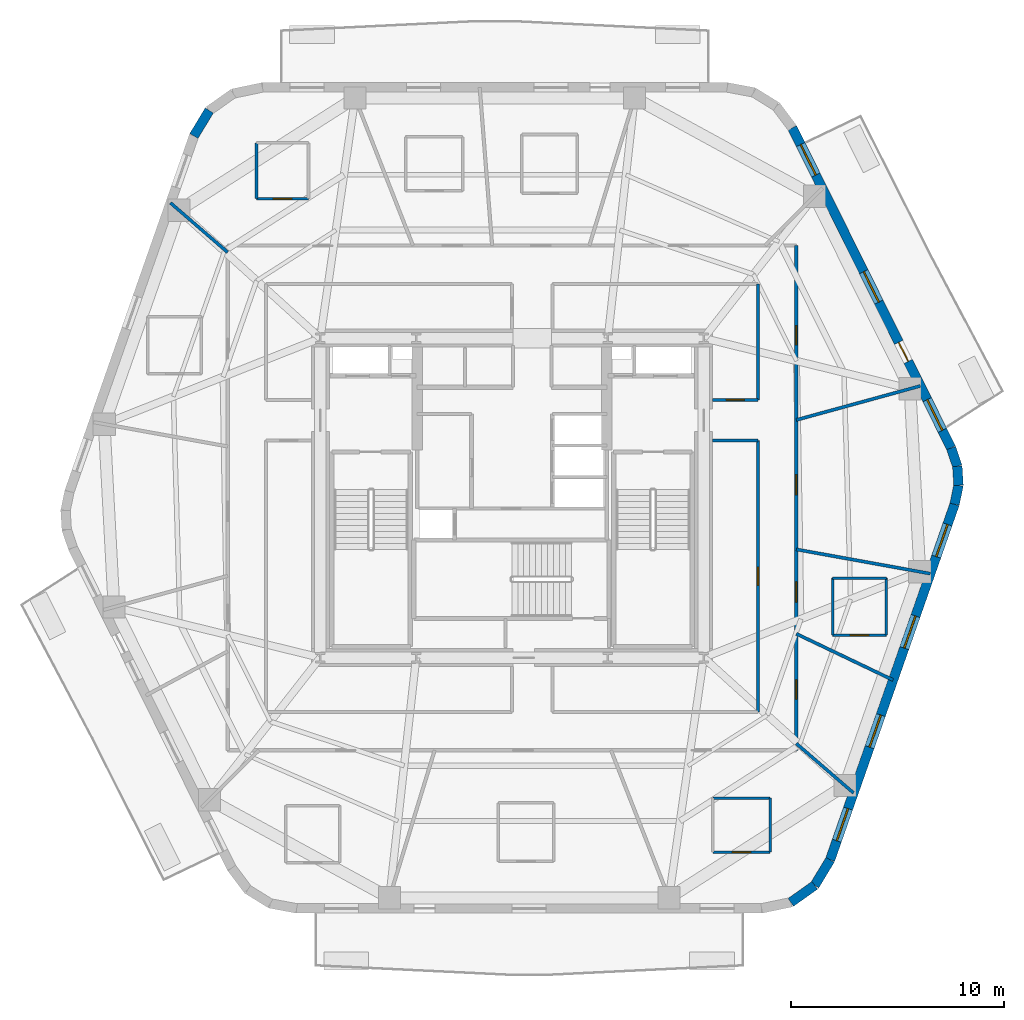
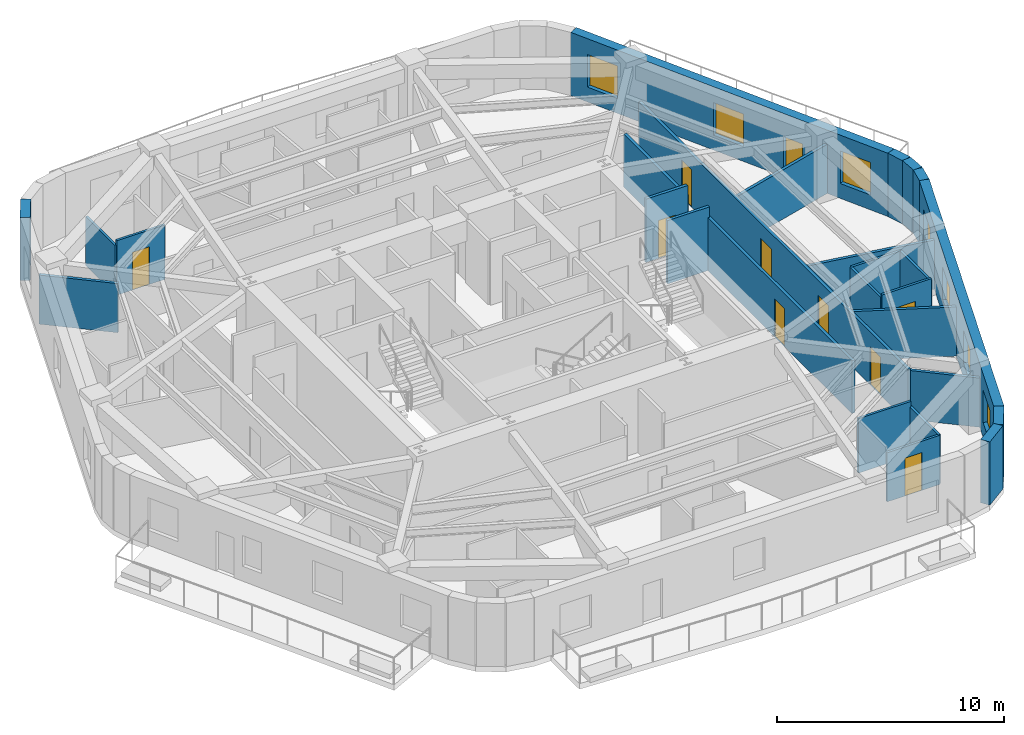
# One storey, part 5 of 10: 27 walls, 10 doors, 7 windows, 17 openings.
"""IFC4 building model written with IfcOpenShell, lengths in metres."""

from ifc_helpers import new_model, si_unit, direction, frame, frame_2d, origin, place, context, subcontext, project, spatial, rectangle, extrude, material, layer, layer_set, type_object, element, fill, save


model = new_model("IFC4")

# Units and contexts
model_context = context("Model", 3, precision=1e-05, world=origin(), true_north=direction((0.0, 1.0)))
body_context = subcontext(model_context, "Body", "Model", "MODEL_VIEW")
ifc_project = project(units=[si_unit("LENGTHUNIT", "METRE"), si_unit("AREAUNIT", "SQUARE_METRE"), si_unit("VOLUMEUNIT", "CUBIC_METRE"), si_unit("PLANEANGLEUNIT", "RADIAN"), si_unit("MASSUNIT", "GRAM", prefix="KILO")], contexts=[model_context])

# Site, building, storey
site_placement = place(None, origin())
site = spatial("IfcSite", under=ifc_project, at=site_placement, CompositionType="ELEMENT")
building_placement = place(site_placement, origin())
building = spatial("IfcBuilding", under=site, at=building_placement, Name="Kilnhurst Terrace Hotel", CompositionType="ELEMENT")
storey_placement = place(building_placement, frame((0.0, 0.0, 151.699951171875)))
storey = spatial("IfcBuildingStorey", under=building, at=storey_placement, Name="L37", CompositionType="ELEMENT", Elevation=151.699951171875)

# Walls
ifc_material_1 = material(Name="Precast concrete C40/50", Category="concrete")
ifc_layer_1 = layer(ifc_material_1, 0.449951171875, Name="Precast concrete C40/50")
ifc_layer_set_1 = layer_set([ifc_layer_1], Name="Precast concrete C40/50")
wall_type_1 = type_object("IfcWallType", Name="WL-BRK-450", PredefinedType="SOLIDWALL", material=ifc_layer_set_1)
wall_1_placement = place(storey_placement, frame((13.091064453125, -18.989013671875, 0.0), z_axis=(0.0, 0.0, 1.0), x_axis=(0.815574637848, 0.578651890258, 0.0)))
element("IfcWall", 1, at=wall_1_placement, inside=storey, type_object=wall_type_1, Name="L37 Rounded Corner Brick Wall C2.2", PredefinedType="SOLIDWALL", context=body_context, shape_type="SweptSolid", body=[
    extrude(rectangle(XDim=1.376708984375, YDim=0.449951171875, at=frame_2d((0.6884765625, 0.0))), origin(), (0.0, 0.0, 1.0), 3.400146484375),
])
wall_2_placement = place(storey_placement, frame((14.2138671875, -18.1923828125, 0.0), z_axis=(0.0, 0.0, 1.0), x_axis=(0.516340945502, 0.856383108193, 0.0)))
element("IfcWall", 2, at=wall_2_placement, inside=storey, type_object=wall_type_1, Name="L37 Rounded Corner Brick Wall C2.3", PredefinedType="SOLIDWALL", context=body_context, shape_type="SweptSolid", body=[
    extrude(rectangle(XDim=1.400146484375, YDim=0.449951171875, at=frame_2d((0.7001953125, 0.0))), origin(), (0.0, 0.0, 1.0), 3.400146484375),
])
wall_3_placement = place(storey_placement, frame((20.78173828125, -0.298095703125, 0.0), z_axis=(0.0, 0.0, 1.0), x_axis=(0.202570068411, 0.979267771033, 0.0)))
element("IfcWall", 3, at=wall_3_placement, inside=storey, type_object=wall_type_1, Name="L37 Rounded Corner Brick Wall C3.1", PredefinedType="SOLIDWALL", context=body_context, shape_type="SweptSolid", body=[
    extrude(rectangle(XDim=0.90869140625, YDim=0.449951171875, at=frame_2d((0.454345703125, 0.0))), origin(), (0.0, 0.0, 1.0), 3.400146484375),
])
wall_4_placement = place(storey_placement, frame((20.9658203125, 0.591796875, 0.0), z_axis=(0.0, 0.0, 1.0), x_axis=(-0.061748898935, 0.998091715966, 0.0)))
element("IfcWall", 4, at=wall_4_placement, inside=storey, type_object=wall_type_1, Name="L37 Rounded Corner Brick Wall C3.2", PredefinedType="SOLIDWALL", context=body_context, shape_type="SweptSolid", body=[
    extrude(rectangle(XDim=0.8935546875, YDim=0.449951171875, at=frame_2d((0.44677734375, 0.0))), origin(), (0.0, 0.0, 1.0), 3.400146484375),
])
wall_5_placement = place(storey_placement, frame((20.91064453125, 1.483642578125, 0.0), z_axis=(0.0, 0.0, 1.0), x_axis=(-0.321623334353, 0.946867694453, 0.0)))
element("IfcWall", 5, at=wall_5_placement, inside=storey, type_object=wall_type_1, Name="L37 Rounded Corner Brick Wall C3.3", PredefinedType="SOLIDWALL", context=body_context, shape_type="SweptSolid", body=[
    extrude(rectangle(XDim=0.90869140625, YDim=0.449951171875, at=frame_2d((0.454345703125, 0.0))), origin(), (0.0, 0.0, 1.0), 3.400146484375),
])
wall_6_placement = place(storey_placement, frame((-14.2138671875, 18.1923828125, 0.0), z_axis=(0.0, 0.0, 1.0), x_axis=(-0.516340945502, -0.856383108193, 0.0)))
element("IfcWall", 6, at=wall_6_placement, inside=storey, type_object=wall_type_1, Name="L37 Rounded Corner Brick Wall C5.3", PredefinedType="SOLIDWALL", context=body_context, shape_type="SweptSolid", body=[
    extrude(rectangle(XDim=1.400146484375, YDim=0.449951171875, at=frame_2d((0.7001953125, 0.0))), origin(), (0.0, 0.0, 1.0), 3.400146484375),
])

# Wall, openings, windows
wall_7_placement = place(storey_placement, frame((14.936767578125, -16.993408203125, 0.0), z_axis=(0.0, 0.0, 1.0), x_axis=(0.330431575061, 0.943829949834, 0.0)))
wall_7 = element("IfcWall", 7, at=wall_7_placement, inside=storey, type_object=wall_type_1, Name="L37 Exterior Brick Facade Wall F2", PredefinedType="SOLIDWALL", context=body_context, shape_type="SweptSolid", body=[
    extrude(rectangle(XDim=17.68896484375, YDim=0.449951171875, at=frame_2d((8.844482421875, 0.0))), origin(), (0.0, 0.0, 1.0), 3.400146484375),
])
opening_1_placement = place(wall_7_placement, frame((0.949951171875, 0.0, 0.800048828125)))
opening_1 = element("IfcOpeningElement", 8, at=opening_1_placement, cuts=wall_7, Name="Opening W-05", PredefinedType="OPENING", context=body_context, shape_type="SweptSolid", body=[
    extrude(rectangle(XDim=1.60009765625, YDim=1.75, at=frame_2d((0.800048828125, 0.875))), frame((0.0, 0.23486328125, 0.0), z_axis=(0.0, -1.0, 0.0), x_axis=(1.0, 0.0, 0.0)), (0.0, 0.0, 1.0), 0.469970703125),
])
opening_2_placement = place(wall_7_placement, frame((5.60498046875, 0.0, 0.800048828125)))
opening_2 = element("IfcOpeningElement", 9, at=opening_2_placement, cuts=wall_7, Name="Opening W-05", PredefinedType="OPENING", context=body_context, shape_type="SweptSolid", body=[
    extrude(rectangle(XDim=1.60009765625, YDim=1.75, at=frame_2d((0.800048828125, 0.875))), frame((0.0, 0.23486328125, 0.0), z_axis=(0.0, -1.0, 0.0), x_axis=(1.0, 0.0, 0.0)), (0.0, 0.0, 1.0), 0.469970703125),
])
opening_3_placement = place(wall_7_placement, frame((10.531005859375, 0.0, 0.800048828125)))
opening_3 = element("IfcOpeningElement", 10, at=opening_3_placement, cuts=wall_7, Name="Opening W-05", PredefinedType="OPENING", context=body_context, shape_type="SweptSolid", body=[
    extrude(rectangle(XDim=1.60009765625, YDim=1.75, at=frame_2d((0.800048828125, 0.875))), frame((0.0, 0.23486328125, 0.0), z_axis=(0.0, -1.0, 0.0), x_axis=(1.0, 0.0, 0.0)), (0.0, 0.0, 1.0), 0.469970703125),
])
opening_4_placement = place(wall_7_placement, frame((15.083984375, 0.0, 0.800048828125)))
opening_4 = element("IfcOpeningElement", 11, at=opening_4_placement, cuts=wall_7, Name="Opening W-05", PredefinedType="OPENING", context=body_context, shape_type="SweptSolid", body=[
    extrude(rectangle(XDim=1.60009765625, YDim=1.75, at=frame_2d((0.800048828125, 0.875))), frame((0.0, 0.23486328125, 0.0), z_axis=(0.0, -1.0, 0.0), x_axis=(1.0, 0.0, 0.0)), (0.0, 0.0, 1.0), 0.469970703125),
])
ifc_material_2 = material(Name="Thermally Broken Bronze Aluminium Alloy 6063-T6 and Low-E Glass", Category="aluminium")
window_type = type_object("IfcWindowType", Name="WIN-1600X1750", PartitioningType="SINGLE_PANEL", PredefinedType="WINDOW", material=ifc_material_2)
window_1_placement = place(opening_1_placement, origin())
window_1 = element("IfcWindow", 12, at=window_1_placement, inside=storey, type_object=window_type, Name="L37 Deep-Set Masonry Window F2.1", OverallHeight=1.75, OverallWidth=1.60009765625, PartitioningType="SINGLE_PANEL", PredefinedType="WINDOW", context=body_context, shape_type="SweptSolid", body=[
    extrude(rectangle(XDim=1.60009765625, YDim=1.75, at=frame_2d((0.800048828125, 0.875))), frame((0.0, 0.030029296875, 0.0), z_axis=(0.0, -1.0, 0.0), x_axis=(1.0, 0.0, 0.0)), (0.0, 0.0, 1.0), 0.06005859375),
])
fill(opening_1, window_1)
window_2_placement = place(opening_2_placement, origin())
window_2 = element("IfcWindow", 13, at=window_2_placement, inside=storey, type_object=window_type, Name="L37 Deep-Set Masonry Window F2.2", OverallHeight=1.75, OverallWidth=1.60009765625, PartitioningType="SINGLE_PANEL", PredefinedType="WINDOW", context=body_context, shape_type="SweptSolid", body=[
    extrude(rectangle(XDim=1.60009765625, YDim=1.75, at=frame_2d((0.800048828125, 0.875))), frame((0.0, 0.030029296875, 0.0), z_axis=(0.0, -1.0, 0.0), x_axis=(1.0, 0.0, 0.0)), (0.0, 0.0, 1.0), 0.06005859375),
])
fill(opening_2, window_2)
window_3_placement = place(opening_3_placement, origin())
window_3 = element("IfcWindow", 14, at=window_3_placement, inside=storey, type_object=window_type, Name="L37 Deep-Set Masonry Window F2.3", OverallHeight=1.75, OverallWidth=1.60009765625, PartitioningType="SINGLE_PANEL", PredefinedType="WINDOW", context=body_context, shape_type="SweptSolid", body=[
    extrude(rectangle(XDim=1.60009765625, YDim=1.75, at=frame_2d((0.800048828125, 0.875))), frame((0.0, 0.030029296875, 0.0), z_axis=(0.0, -1.0, 0.0), x_axis=(1.0, 0.0, 0.0)), (0.0, 0.0, 1.0), 0.06005859375),
])
fill(opening_3, window_3)
window_4_placement = place(opening_4_placement, origin())
window_4 = element("IfcWindow", 15, at=window_4_placement, inside=storey, type_object=window_type, Name="L37 Deep-Set Masonry Window F2.4", OverallHeight=1.75, OverallWidth=1.60009765625, PartitioningType="SINGLE_PANEL", PredefinedType="WINDOW", context=body_context, shape_type="SweptSolid", body=[
    extrude(rectangle(XDim=1.60009765625, YDim=1.75, at=frame_2d((0.800048828125, 0.875))), frame((0.0, 0.030029296875, 0.0), z_axis=(0.0, -1.0, 0.0), x_axis=(1.0, 0.0, 0.0)), (0.0, 0.0, 1.0), 0.06005859375),
])
fill(opening_4, window_4)

# Wall, openings, door, windows
wall_8_placement = place(storey_placement, frame((20.618408203125, 2.343994140625, 0.0), z_axis=(0.0, 0.0, 1.0), x_axis=(-0.444243691097, 0.895905990002, 0.0)))
wall_8 = element("IfcWall", 16, at=wall_8_placement, inside=storey, type_object=wall_type_1, Name="L37 Exterior Brick Facade Wall F3", PredefinedType="SOLIDWALL", context=body_context, shape_type="SweptSolid", body=[
    extrude(rectangle(XDim=16.78369140625, YDim=0.449951171875, at=frame_2d((8.391845703125, 0.0))), origin(), (0.0, 0.0, 1.0), 3.400146484375),
])
opening_5_placement = place(wall_8_placement, frame((4.534912109375, 0.0, 0.0)))
opening_5 = element("IfcOpeningElement", 17, at=opening_5_placement, cuts=wall_8, Name="Opening BD-1000", PredefinedType="OPENING", context=body_context, shape_type="SweptSolid", body=[
    extrude(rectangle(XDim=1.0, YDim=2.14990234375, at=frame_2d((0.5, 1.074951171875))), frame((0.0, 0.23486328125, 0.0), z_axis=(0.0, -1.0, 0.0), x_axis=(1.0, 0.0, 0.0)), (0.0, 0.0, 1.0), 0.469970703125),
])
opening_6_placement = place(wall_8_placement, frame((7.64208984375, 0.0, 0.800048828125)))
opening_6 = element("IfcOpeningElement", 18, at=opening_6_placement, cuts=wall_8, Name="Opening W-05", PredefinedType="OPENING", context=body_context, shape_type="SweptSolid", body=[
    extrude(rectangle(XDim=1.60009765625, YDim=1.75, at=frame_2d((0.800048828125, 0.875))), frame((0.0, 0.23486328125, 0.0), z_axis=(0.0, -1.0, 0.0), x_axis=(1.0, 0.0, 0.0)), (0.0, 0.0, 1.0), 0.469970703125),
])
opening_7_placement = place(wall_8_placement, frame((14.302978515625, 0.0, 0.800048828125)))
opening_7 = element("IfcOpeningElement", 19, at=opening_7_placement, cuts=wall_8, Name="Opening W-05", PredefinedType="OPENING", context=body_context, shape_type="SweptSolid", body=[
    extrude(rectangle(XDim=1.60009765625, YDim=1.75, at=frame_2d((0.800048828125, 0.875))), frame((0.0, 0.23486328125, 0.0), z_axis=(0.0, -1.0, 0.0), x_axis=(1.0, 0.0, 0.0)), (0.0, 0.0, 1.0), 0.469970703125),
])
opening_8_placement = place(wall_8_placement, frame((0.930908203125, 0.0, 0.800048828125)))
opening_8 = element("IfcOpeningElement", 20, at=opening_8_placement, cuts=wall_8, Name="Opening W-05", PredefinedType="OPENING", context=body_context, shape_type="SweptSolid", body=[
    extrude(rectangle(XDim=1.60009765625, YDim=1.75, at=frame_2d((0.800048828125, 0.875))), frame((0.0, 0.23486328125, 0.0), z_axis=(0.0, -1.0, 0.0), x_axis=(1.0, 0.0, 0.0)), (0.0, 0.0, 1.0), 0.469970703125),
])
ifc_material_3 = material(Name="Thermally Broken Bronze Aluminium Alloy 6063-T6 and Laminated Glass", Category="aluminium")
door_type_1 = type_object("IfcDoorType", Name="DR-EXT-BAL-1000", OperationType="NOTDEFINED", PredefinedType="DOOR", material=ifc_material_3)
door_1_placement = place(opening_5_placement, origin())
door_1 = element("IfcDoor", 21, at=door_1_placement, inside=storey, type_object=door_type_1, Name="L37 Planted Balcony Door BAL-L1A", OperationType="SINGLE_SWING_LEFT", OverallHeight=2.14990234375, OverallWidth=1.0, PredefinedType="DOOR", context=body_context, shape_type="SweptSolid", body=[
    extrude(rectangle(XDim=1.0, YDim=2.14990234375, at=frame_2d((0.5, 1.074951171875))), frame((0.0, 0.02490234375, 0.0), z_axis=(0.0, -1.0, 0.0), x_axis=(1.0, 0.0, 0.0)), (0.0, 0.0, 1.0), 0.050048828125),
])
fill(opening_5, door_1)
window_5_placement = place(opening_6_placement, origin())
window_5 = element("IfcWindow", 22, at=window_5_placement, inside=storey, type_object=window_type, Name="L37 Deep-Set Masonry Window F3.1", OverallHeight=1.75, OverallWidth=1.60009765625, PartitioningType="SINGLE_PANEL", PredefinedType="WINDOW", context=body_context, shape_type="SweptSolid", body=[
    extrude(rectangle(XDim=1.60009765625, YDim=1.75, at=frame_2d((0.800048828125, 0.875))), frame((0.0, 0.030029296875, 0.0), z_axis=(0.0, -1.0, 0.0), x_axis=(1.0, 0.0, 0.0)), (0.0, 0.0, 1.0), 0.06005859375),
])
fill(opening_6, window_5)
window_6_placement = place(opening_7_placement, origin())
window_6 = element("IfcWindow", 23, at=window_6_placement, inside=storey, type_object=window_type, Name="L37 Deep-Set Masonry Window F3.2", OverallHeight=1.75, OverallWidth=1.60009765625, PartitioningType="SINGLE_PANEL", PredefinedType="WINDOW", context=body_context, shape_type="SweptSolid", body=[
    extrude(rectangle(XDim=1.60009765625, YDim=1.75, at=frame_2d((0.800048828125, 0.875))), frame((0.0, 0.030029296875, 0.0), z_axis=(0.0, -1.0, 0.0), x_axis=(1.0, 0.0, 0.0)), (0.0, 0.0, 1.0), 0.06005859375),
])
fill(opening_7, window_6)
window_7_placement = place(opening_8_placement, origin())
window_7 = element("IfcWindow", 24, at=window_7_placement, inside=storey, type_object=window_type, Name="L37 Deep-Set Masonry Window F3.3", OverallHeight=1.75, OverallWidth=1.60009765625, PartitioningType="SINGLE_PANEL", PredefinedType="WINDOW", context=body_context, shape_type="SweptSolid", body=[
    extrude(rectangle(XDim=1.60009765625, YDim=1.75, at=frame_2d((0.800048828125, 0.875))), frame((0.0, 0.030029296875, 0.0), z_axis=(0.0, -1.0, 0.0), x_axis=(1.0, 0.0, 0.0)), (0.0, 0.0, 1.0), 0.06005859375),
])
fill(opening_8, window_7)

# Wall, openings, doors
ifc_material_4 = material(Name="Acoustic Double-Gypsum Corridor Partition Assembly")
ifc_layer_2 = layer(ifc_material_4, 0.14990234375, Name="Acoustic Double-Gypsum Corridor Partition Assembly")
ifc_layer_set_2 = layer_set([ifc_layer_2], Name="Acoustic Double-Gypsum Corridor Partition Assembly")
wall_type_2 = type_object("IfcWallType", Name="WL-COR-150", PredefinedType="PARTITIONING", material=ifc_layer_set_2)
wall_9_placement = place(storey_placement, frame((13.35009765625, 11.85009765625, 0.0), z_axis=(0.0, 0.0, 1.0), x_axis=(0.0, -1.0, 0.0)))
wall_9 = element("IfcWall", 25, at=wall_9_placement, inside=storey, type_object=wall_type_2, Name="L37 Interior Wall WL-L37-COR-04", PredefinedType="PARTITIONING", context=body_context, shape_type="SweptSolid", body=[
    extrude(rectangle(XDim=23.7001953125, YDim=0.14990234375, at=frame_2d((11.85009765625, 0.0))), origin(), (0.0, 0.0, 1.0), 2.840087890625),
])
opening_9_placement = place(wall_9_placement, frame((3.764892578125, 0.0, 0.0)))
opening_9 = element("IfcOpeningElement", 26, at=opening_9_placement, cuts=wall_9, Name="Opening D-60C", PredefinedType="OPENING", context=body_context, shape_type="SweptSolid", body=[
    extrude(rectangle(XDim=0.89990234375, YDim=2.030029296875, at=frame_2d((0.449951171875, 1.01513671875))), frame((0.0, 0.0849609375, 0.0), z_axis=(0.0, -1.0, 0.0), x_axis=(1.0, 0.0, 0.0)), (0.0, 0.0, 1.0), 0.169921875),
])
opening_10_placement = place(wall_9_placement, frame((20.39501953125, 0.0, 0.0)))
opening_10 = element("IfcOpeningElement", 27, at=opening_10_placement, cuts=wall_9, Name="Opening D-60C", PredefinedType="OPENING", context=body_context, shape_type="SweptSolid", body=[
    extrude(rectangle(XDim=0.89990234375, YDim=2.030029296875, at=frame_2d((0.449951171875, 1.01513671875))), frame((0.0, 0.0849609375, 0.0), z_axis=(0.0, -1.0, 0.0), x_axis=(1.0, 0.0, 0.0)), (0.0, 0.0, 1.0), 0.169921875),
])
opening_11_placement = place(wall_9_placement, frame((15.787109375, 0.0, 0.0)))
opening_11 = element("IfcOpeningElement", 28, at=opening_11_placement, cuts=wall_9, Name="Opening D-60B", PredefinedType="OPENING", context=body_context, shape_type="SweptSolid", body=[
    extrude(rectangle(XDim=0.949951171875, YDim=2.030029296875, at=frame_2d((0.47509765625, 1.01513671875))), frame((0.0, 0.0849609375, 0.0), z_axis=(0.0, -1.0, 0.0), x_axis=(1.0, 0.0, 0.0)), (0.0, 0.0, 1.0), 0.169921875),
])
opening_12_placement = place(wall_9_placement, frame((10.7509765625, 0.0, 0.0)))
opening_12 = element("IfcOpeningElement", 29, at=opening_12_placement, cuts=wall_9, Name="Opening D-60B", PredefinedType="OPENING", context=body_context, shape_type="SweptSolid", body=[
    extrude(rectangle(XDim=0.949951171875, YDim=2.030029296875, at=frame_2d((0.47509765625, 1.01513671875))), frame((0.0, 0.0849609375, 0.0), z_axis=(0.0, -1.0, 0.0), x_axis=(1.0, 0.0, 0.0)), (0.0, 0.0, 1.0), 0.169921875),
])
ifc_material_5 = material(Name="Painted Solid-Core Service Fire Door")
door_type_2 = type_object("IfcDoorType", Name="DR-FD60-900", OperationType="NOTDEFINED", PredefinedType="DOOR", material=ifc_material_5)
door_2_placement = place(opening_9_placement, origin())
door_2 = element("IfcDoor", 30, at=door_2_placement, inside=storey, type_object=door_type_2, Name="L37 Private Study Salon Door 1", OperationType="SINGLE_SWING_LEFT", OverallHeight=2.030029296875, OverallWidth=0.89990234375, PredefinedType="DOOR", context=body_context, shape_type="SweptSolid", body=[
    extrude(rectangle(XDim=0.89990234375, YDim=2.030029296875, at=frame_2d((0.449951171875, 1.01513671875))), frame((0.0, 0.02490234375, 0.0), z_axis=(0.0, -1.0, 0.0), x_axis=(1.0, 0.0, 0.0)), (0.0, 0.0, 1.0), 0.050048828125),
])
fill(opening_9, door_2)
door_3_placement = place(opening_10_placement, origin())
door_3 = element("IfcDoor", 31, at=door_3_placement, inside=storey, type_object=door_type_2, Name="L37 Private Meeting Salon Door 13", OperationType="SINGLE_SWING_LEFT", OverallHeight=2.030029296875, OverallWidth=0.89990234375, PredefinedType="DOOR", context=body_context, shape_type="SweptSolid", body=[
    extrude(rectangle(XDim=0.89990234375, YDim=2.030029296875, at=frame_2d((0.449951171875, 1.01513671875))), frame((0.0, 0.02490234375, 0.0), z_axis=(0.0, -1.0, 0.0), x_axis=(1.0, 0.0, 0.0)), (0.0, 0.0, 1.0), 0.050048828125),
])
fill(opening_10, door_3)
ifc_material_6 = material(Name="Acoustic Walnut Veneer Solid-Core Fire Door")
door_type_3 = type_object("IfcDoorType", Name="DR-FD60-950", OperationType="NOTDEFINED", PredefinedType="DOOR", material=ifc_material_6)
door_4_placement = place(opening_11_placement, origin())
door_4 = element("IfcDoor", 32, at=door_4_placement, inside=storey, type_object=door_type_3, Name="L37 Guest Room Entry Door 14", OperationType="SINGLE_SWING_RIGHT", OverallHeight=2.030029296875, OverallWidth=0.949951171875, PredefinedType="DOOR", context=body_context, shape_type="SweptSolid", body=[
    extrude(rectangle(XDim=0.949951171875, YDim=2.030029296875, at=frame_2d((0.47509765625, 1.01513671875))), frame((0.0, 0.02490234375, 0.0), z_axis=(0.0, -1.0, 0.0), x_axis=(1.0, 0.0, 0.0)), (0.0, 0.0, 1.0), 0.050048828125),
])
fill(opening_11, door_4)
door_5_placement = place(opening_12_placement, origin())
door_5 = element("IfcDoor", 33, at=door_5_placement, inside=storey, type_object=door_type_3, Name="L37 Private Study Door", OperationType="SINGLE_SWING_LEFT", OverallHeight=2.030029296875, OverallWidth=0.949951171875, PredefinedType="DOOR", context=body_context, shape_type="SweptSolid", body=[
    extrude(rectangle(XDim=0.949951171875, YDim=2.030029296875, at=frame_2d((0.47509765625, 1.01513671875))), frame((0.0, 0.02490234375, 0.0), z_axis=(0.0, -1.0, 0.0), x_axis=(1.0, 0.0, 0.0)), (0.0, 0.0, 1.0), 0.050048828125),
])
fill(opening_12, door_5)

# Wall, opening, door
wall_10_placement = place(storey_placement, frame((11.550048828125, -10.050048828125, 0.0), z_axis=(0.0, 0.0, 1.0), x_axis=(0.0, 1.0, 0.0)))
wall_10 = element("IfcWall", 34, at=wall_10_placement, inside=storey, type_object=wall_type_2, Name="L37 Interior Wall WL-L37-COR-05", PredefinedType="PARTITIONING", context=body_context, shape_type="SweptSolid", body=[
    extrude(rectangle(XDim=12.75, YDim=0.14990234375, at=frame_2d((6.375, 0.0))), origin(), (0.0, 0.0, 1.0), 2.840087890625),
])
opening_13_placement = place(wall_10_placement, frame((5.949951171875, 0.0, 0.0)))
opening_13 = element("IfcOpeningElement", 35, at=opening_13_placement, cuts=wall_10, Name="Opening D-60D", PredefinedType="OPENING", context=body_context, shape_type="SweptSolid", body=[
    extrude(rectangle(XDim=0.85009765625, YDim=2.030029296875, at=frame_2d((0.425048828125, 1.01513671875))), frame((0.0, 0.0849609375, 0.0), z_axis=(0.0, -1.0, 0.0), x_axis=(1.0, 0.0, 0.0)), (0.0, 0.0, 1.0), 0.169921875),
])
ifc_material_7 = material(Name="Painted Hollow Metal Steel ASTM A36 Riser Door", Category="steel")
door_type_4 = type_object("IfcDoorType", Name="DR-FD60-850", OperationType="NOTDEFINED", PredefinedType="DOOR", material=ifc_material_7)
door_6_placement = place(opening_13_placement, origin())
door_6 = element("IfcDoor", 36, at=door_6_placement, inside=storey, type_object=door_type_4, Name="L37 Floor Electrical Switch Room Door", OperationType="SINGLE_SWING_RIGHT", OverallHeight=2.030029296875, OverallWidth=0.85009765625, PredefinedType="DOOR", context=body_context, shape_type="SweptSolid", body=[
    extrude(rectangle(XDim=0.85009765625, YDim=2.030029296875, at=frame_2d((0.425048828125, 1.01513671875))), frame((0.0, 0.02490234375, 0.0), z_axis=(0.0, -1.0, 0.0), x_axis=(1.0, 0.0, 0.0)), (0.0, 0.0, 1.0), 0.050048828125),
])
fill(opening_13, door_6)

# Wall
wall_11_placement = place(storey_placement, frame((11.550048828125, 2.699951171875, 0.0), z_axis=(0.0, 0.0, 1.0), x_axis=(-1.0, 0.0, 0.0)))
element("IfcWall", 37, at=wall_11_placement, inside=storey, type_object=wall_type_2, Name="L37 Interior Wall WL-L37-COR-06", PredefinedType="PARTITIONING", context=body_context, shape_type="SweptSolid", body=[
    extrude(rectangle(XDim=2.125, YDim=0.14990234375, at=frame_2d((1.0625, 0.0))), origin(), (0.0, 0.0, 1.0), 3.400146484375),
])

# Wall, opening, door
wall_12_placement = place(storey_placement, frame((9.425048828125, 4.60009765625, 0.0), z_axis=(0.0, 0.0, 1.0), x_axis=(1.0, 0.0, 0.0)))
wall_12 = element("IfcWall", 38, at=wall_12_placement, inside=storey, type_object=wall_type_2, Name="L37 Interior Wall WL-L37-COR-07", PredefinedType="PARTITIONING", context=body_context, shape_type="SweptSolid", body=[
    extrude(rectangle(XDim=2.125, YDim=0.14990234375, at=frame_2d((1.0625, 0.0))), origin(), (0.0, 0.0, 1.0), 3.400146484375),
])
opening_14_placement = place(wall_12_placement, frame((0.636962890625, 0.0, 0.0)))
opening_14 = element("IfcOpeningElement", 39, at=opening_14_placement, cuts=wall_12, Name="Opening D-60D", PredefinedType="OPENING", context=body_context, shape_type="SweptSolid", body=[
    extrude(rectangle(XDim=0.85009765625, YDim=2.030029296875, at=frame_2d((0.425048828125, 1.01513671875))), frame((0.0, 0.0849609375, 0.0), z_axis=(0.0, -1.0, 0.0), x_axis=(1.0, 0.0, 0.0)), (0.0, 0.0, 1.0), 0.169921875),
])
door_7_placement = place(opening_14_placement, origin())
door_7 = element("IfcDoor", 40, at=door_7_placement, inside=storey, type_object=door_type_4, Name="L37 Floor Beverage Service Room Door", OperationType="SINGLE_SWING_LEFT", OverallHeight=2.030029296875, OverallWidth=0.85009765625, PredefinedType="DOOR", context=body_context, shape_type="SweptSolid", body=[
    extrude(rectangle(XDim=0.85009765625, YDim=2.030029296875, at=frame_2d((0.425048828125, 1.01513671875))), frame((0.0, 0.02490234375, 0.0), z_axis=(0.0, -1.0, 0.0), x_axis=(1.0, 0.0, 0.0)), (0.0, 0.0, 1.0), 0.050048828125),
])
fill(opening_14, door_7)

# Walls
wall_13_placement = place(storey_placement, frame((11.550048828125, 4.60009765625, 0.0), z_axis=(0.0, 0.0, 1.0), x_axis=(0.0, 1.0, 0.0)))
element("IfcWall", 41, at=wall_13_placement, inside=storey, type_object=wall_type_2, Name="L37 Interior Wall WL-L37-COR-08", PredefinedType="PARTITIONING", context=body_context, shape_type="SweptSolid", body=[
    extrude(rectangle(XDim=5.449951171875, YDim=0.14990234375, at=frame_2d((2.72509765625, 0.0))), origin(), (0.0, 0.0, 1.0), 2.840087890625),
])
ifc_material_8 = material(Name="STC-58 Acoustic Twin-Frame Guestroom Demising Partition")
ifc_layer_3 = layer(ifc_material_8, 0.14990234375, Name="STC-58 Acoustic Twin-Frame Guestroom Demising Partition")
ifc_layer_set_3 = layer_set([ifc_layer_3], Name="STC-58 Acoustic Twin-Frame Guestroom Demising Partition")
wall_type_3 = type_object("IfcWallType", Name="WL-DEM-150", PredefinedType="PARTITIONING", material=ifc_layer_set_3)
wall_14_placement = place(storey_placement, frame((13.35009765625, 3.66064453125, 0.0), z_axis=(0.0, 0.0, 1.0), x_axis=(0.964397145454, 0.264458211898, 0.0)))
element("IfcWall", 42, at=wall_14_placement, inside=storey, type_object=wall_type_3, Name="L37 Interior Wall WL-L37-DEM-COL01-01-1", PredefinedType="PARTITIONING", context=body_context, shape_type="SweptSolid", body=[
    extrude(rectangle(XDim=6.03857421875, YDim=0.14990234375, at=frame_2d((3.019287109375, 0.0))), origin(), (0.0, 0.0, 1.0), 2.64013671875),
])
for number, where, z_axis, x_axis, name in (
    (43, (-13.35009765625, 11.53271484375, 0.0), (0.0, 0.0, 1.0), (-0.756711647314, 0.65374879183, 0.0), "L37 Interior Wall WL-L37-DEM-COL05-06-1"),
    (44, (13.35009765625, -11.53271484375, 0.0), (0.0, 0.0, 1.0), (0.756711647314, -0.65374879183, 0.0), "L37 Interior Wall WL-L37-DEM-COL11-13-1"),
):
    element("IfcWall", number, at=place(storey_placement, frame(where, z_axis=z_axis, x_axis=x_axis)), inside=storey, type_object=wall_type_3, Name=name, PredefinedType="PARTITIONING", context=body_context, shape_type="SweptSolid", body=[
        extrude(rectangle(XDim=3.549560546875, YDim=0.14990234375, at=frame_2d((1.77490234375, 0.0))), origin(), (0.0, 0.0, 1.0), 2.64013671875),
    ])
wall_15_placement = place(storey_placement, frame((13.35009765625, -6.3798828125, 0.0), z_axis=(0.0, 0.0, 1.0), x_axis=(0.90225728206, -0.431198094812, 0.0)))
element("IfcWall", 45, at=wall_15_placement, inside=storey, type_object=wall_type_3, Name="L37 Interior Wall WL-L37-DEM-MID11-14-1", PredefinedType="PARTITIONING", context=body_context, shape_type="SweptSolid", body=[
    extrude(rectangle(XDim=5.03466796875, YDim=0.14990234375, at=frame_2d((2.517333984375, 0.0))), origin(), (0.0, 0.0, 1.0), 2.64013671875),
])
wall_16_placement = place(storey_placement, frame((13.35009765625, -2.417236328125, 0.0), z_axis=(0.0, 0.0, 1.0), x_axis=(0.98399796473, -0.178179699761, 0.0)))
element("IfcWall", 46, at=wall_16_placement, inside=storey, type_object=wall_type_3, Name="L37 Interior Wall WL-L37-DEM-COL12-15-1", PredefinedType="PARTITIONING", context=body_context, shape_type="SweptSolid", body=[
    extrude(rectangle(XDim=6.393310546875, YDim=0.14990234375, at=frame_2d((3.19677734375, 0.0))), origin(), (0.0, 0.0, 1.0), 2.64013671875),
])

# Wall, opening, door
ifc_material_9 = material(Name="120 mm Moisture-Resistant Tile-Backed Bathroom Partition")
ifc_layer_4 = layer(ifc_material_9, 0.1201171875, Name="120 mm Moisture-Resistant Tile-Backed Bathroom Partition")
ifc_layer_set_4 = layer_set([ifc_layer_4], Name="120 mm Moisture-Resistant Tile-Backed Bathroom Partition")
wall_type_4 = type_object("IfcWallType", Name="WL-PART-120", PredefinedType="PARTITIONING", material=ifc_layer_set_4)
wall_17_placement = place(storey_placement, frame((-11.99609375, 14.056884765625, 0.0), z_axis=(0.0, 0.0, 1.0), x_axis=(1.0, 0.0, 0.0)))
wall_17 = element("IfcWall", 47, at=wall_17_placement, inside=storey, type_object=wall_type_4, Name="L37 Interior Wall WL-L37-BTH-05-1", PredefinedType="PARTITIONING", context=body_context, shape_type="SweptSolid", body=[
    extrude(rectangle(XDim=2.440185546875, YDim=0.1201171875, at=frame_2d((1.22021484375, 0.0))), origin(), (0.0, 0.0, 1.0), 2.926513671875),
])
opening_15_placement = place(wall_17_placement, frame((0.794921875, 0.0, 0.0)))
opening_15 = element("IfcOpeningElement", 48, at=opening_15_placement, cuts=wall_17, Name="Opening D-08A", PredefinedType="OPENING", context=body_context, shape_type="SweptSolid", body=[
    extrude(rectangle(XDim=0.85009765625, YDim=2.030029296875, at=frame_2d((0.425048828125, 1.01513671875))), frame((0.0, 0.070068359375, 0.0), z_axis=(0.0, -1.0, 0.0), x_axis=(1.0, 0.0, 0.0)), (0.0, 0.0, 1.0), 0.14013671875),
])
ifc_material_10 = material(Name="Moisture-Resistant Lacquered En-suite Bathroom Door")
door_type_5 = type_object("IfcDoorType", Name="DR-INT-850", OperationType="NOTDEFINED", PredefinedType="DOOR", material=ifc_material_10)
door_8_placement = place(opening_15_placement, origin())
door_8 = element("IfcDoor", 49, at=door_8_placement, inside=storey, type_object=door_type_5, Name="L37 En-suite Bathroom Door 5", OperationType="SINGLE_SWING_RIGHT", OverallHeight=2.030029296875, OverallWidth=0.85009765625, PredefinedType="DOOR", context=body_context, shape_type="SweptSolid", body=[
    extrude(rectangle(XDim=0.85009765625, YDim=2.030029296875, at=frame_2d((0.425048828125, 1.01513671875))), frame((0.0, 0.02490234375, 0.0), z_axis=(0.0, -1.0, 0.0), x_axis=(1.0, 0.0, 0.0)), (0.0, 0.0, 1.0), 0.050048828125),
])
fill(opening_15, door_8)

# Wall
wall_18_placement = place(storey_placement, frame((-11.99609375, 16.6669921875, 0.0), z_axis=(0.0, 0.0, 1.0), x_axis=(0.0, -1.0, 0.0)))
element("IfcWall", 50, at=wall_18_placement, inside=storey, type_object=wall_type_4, Name="L37 Interior Wall WL-L37-BTH-05-4", PredefinedType="PARTITIONING", context=body_context, shape_type="SweptSolid", body=[
    extrude(rectangle(XDim=2.610107421875, YDim=0.1201171875, at=frame_2d((1.30517578125, 0.0))), origin(), (0.0, 0.0, 1.0), 2.64013671875),
])

# Wall, opening, door
wall_19_placement = place(storey_placement, frame((9.43603515625, -16.632080078125, 0.0), z_axis=(0.0, 0.0, 1.0), x_axis=(1.0, 0.0, 0.0)))
wall_19 = element("IfcWall", 51, at=wall_19_placement, inside=storey, type_object=wall_type_4, Name="L37 Interior Wall WL-L37-BTH-12-1", PredefinedType="PARTITIONING", context=body_context, shape_type="SweptSolid", body=[
    extrude(rectangle(XDim=2.679931640625, YDim=0.1201171875, at=frame_2d((1.33984375, 0.0))), origin(), (0.0, 0.0, 1.0), 2.64013671875),
])
opening_16_placement = place(wall_19_placement, frame((0.9150390625, 0.0, 0.0)))
opening_16 = element("IfcOpeningElement", 52, at=opening_16_placement, cuts=wall_19, Name="Opening D-08A", PredefinedType="OPENING", context=body_context, shape_type="SweptSolid", body=[
    extrude(rectangle(XDim=0.85009765625, YDim=2.030029296875, at=frame_2d((0.425048828125, 1.01513671875))), frame((0.0, 0.070068359375, 0.0), z_axis=(0.0, -1.0, 0.0), x_axis=(1.0, 0.0, 0.0)), (0.0, 0.0, 1.0), 0.14013671875),
])
door_9_placement = place(opening_16_placement, origin())
door_9 = element("IfcDoor", 53, at=door_9_placement, inside=storey, type_object=door_type_5, Name="L37 En-suite Bathroom Door 12", OperationType="SINGLE_SWING_LEFT", OverallHeight=2.030029296875, OverallWidth=0.85009765625, PredefinedType="DOOR", context=body_context, shape_type="SweptSolid", body=[
    extrude(rectangle(XDim=0.85009765625, YDim=2.030029296875, at=frame_2d((0.425048828125, 1.01513671875))), frame((0.0, 0.02490234375, 0.0), z_axis=(0.0, -1.0, 0.0), x_axis=(1.0, 0.0, 0.0)), (0.0, 0.0, 1.0), 0.050048828125),
])
fill(opening_16, door_9)

# Walls
wall_20_placement = place(storey_placement, frame((12.115966796875, -16.632080078125, 0.0), z_axis=(0.0, 0.0, 1.0), x_axis=(0.0, 1.0, 0.0)))
element("IfcWall", 54, at=wall_20_placement, inside=storey, type_object=wall_type_4, Name="L37 Interior Wall WL-L37-BTH-12-2", PredefinedType="PARTITIONING", context=body_context, shape_type="SweptSolid", body=[
    extrude(rectangle(XDim=2.5400390625, YDim=0.1201171875, at=frame_2d((1.27001953125, 0.0))), origin(), (0.0, 0.0, 1.0), 2.64013671875),
])
wall_21_placement = place(storey_placement, frame((12.115966796875, -14.092041015625, 0.0), z_axis=(0.0, 0.0, 1.0), x_axis=(-1.0, 0.0, 0.0)))
element("IfcWall", 55, at=wall_21_placement, inside=storey, type_object=wall_type_4, Name="L37 Interior Wall WL-L37-BTH-12-3", PredefinedType="PARTITIONING", context=body_context, shape_type="SweptSolid", body=[
    extrude(rectangle(XDim=2.679931640625, YDim=0.1201171875, at=frame_2d((1.33984375, 0.0))), origin(), (0.0, 0.0, 1.0), 2.926513671875),
])

# Wall, opening, door
wall_22_placement = place(storey_placement, frame((15.05810546875, -6.444091796875, 0.0), z_axis=(0.0, 0.0, 1.0), x_axis=(1.0, 0.0, 0.0)))
wall_22 = element("IfcWall", 56, at=wall_22_placement, inside=storey, type_object=wall_type_4, Name="L37 Interior Wall WL-L37-BTH-14-1", PredefinedType="PARTITIONING", context=body_context, shape_type="SweptSolid", body=[
    extrude(rectangle(XDim=2.519775390625, YDim=0.1201171875, at=frame_2d((1.259765625, 0.0))), origin(), (0.0, 0.0, 1.0), 2.972412109375),
])
opening_17_placement = place(wall_22_placement, frame((0.8349609375, 0.0, 0.0)))
opening_17 = element("IfcOpeningElement", 57, at=opening_17_placement, cuts=wall_22, Name="Opening D-08A", PredefinedType="OPENING", context=body_context, shape_type="SweptSolid", body=[
    extrude(rectangle(XDim=0.85009765625, YDim=2.030029296875, at=frame_2d((0.425048828125, 1.01513671875))), frame((0.0, 0.070068359375, 0.0), z_axis=(0.0, -1.0, 0.0), x_axis=(1.0, 0.0, 0.0)), (0.0, 0.0, 1.0), 0.14013671875),
])
door_10_placement = place(opening_17_placement, origin())
door_10 = element("IfcDoor", 58, at=door_10_placement, inside=storey, type_object=door_type_5, Name="L37 En-suite Bathroom Door 14", OperationType="SINGLE_SWING_LEFT", OverallHeight=2.030029296875, OverallWidth=0.85009765625, PredefinedType="DOOR", context=body_context, shape_type="SweptSolid", body=[
    extrude(rectangle(XDim=0.85009765625, YDim=2.030029296875, at=frame_2d((0.425048828125, 1.01513671875))), frame((0.0, 0.02490234375, 0.0), z_axis=(0.0, -1.0, 0.0), x_axis=(1.0, 0.0, 0.0)), (0.0, 0.0, 1.0), 0.050048828125),
])
fill(opening_17, door_10)

# Walls
wall_23_placement = place(storey_placement, frame((17.577880859375, -6.444091796875, 0.0), z_axis=(0.0, 0.0, 1.0), x_axis=(0.0, 1.0, 0.0)))
element("IfcWall", 59, at=wall_23_placement, inside=storey, type_object=wall_type_4, Name="L37 Interior Wall WL-L37-BTH-14-2", PredefinedType="PARTITIONING", context=body_context, shape_type="SweptSolid", body=[
    extrude(rectangle(XDim=2.68017578125, YDim=0.1201171875, at=frame_2d((1.340087890625, 0.0))), origin(), (0.0, 0.0, 1.0), 2.840087890625),
])
wall_24_placement = place(storey_placement, frame((17.577880859375, -3.763916015625, 0.0), z_axis=(0.0, 0.0, 1.0), x_axis=(-1.0, 0.0, 0.0)))
element("IfcWall", 60, at=wall_24_placement, inside=storey, type_object=wall_type_4, Name="L37 Interior Wall WL-L37-BTH-14-3", PredefinedType="PARTITIONING", context=body_context, shape_type="SweptSolid", body=[
    extrude(rectangle(XDim=2.519775390625, YDim=0.1201171875, at=frame_2d((1.259765625, 0.0))), origin(), (0.0, 0.0, 1.0), 2.84033203125),
])
wall_25_placement = place(storey_placement, frame((15.05810546875, -3.763916015625, 0.0), z_axis=(0.0, 0.0, 1.0), x_axis=(0.0, -1.0, 0.0)))
element("IfcWall", 61, at=wall_25_placement, inside=storey, type_object=wall_type_4, Name="L37 Interior Wall WL-L37-BTH-14-4", PredefinedType="PARTITIONING", context=body_context, shape_type="SweptSolid", body=[
    extrude(rectangle(XDim=2.68017578125, YDim=0.1201171875, at=frame_2d((1.340087890625, 0.0))), origin(), (0.0, 0.0, 1.0), 2.840087890625),
])

save(model, "model.ifc")
